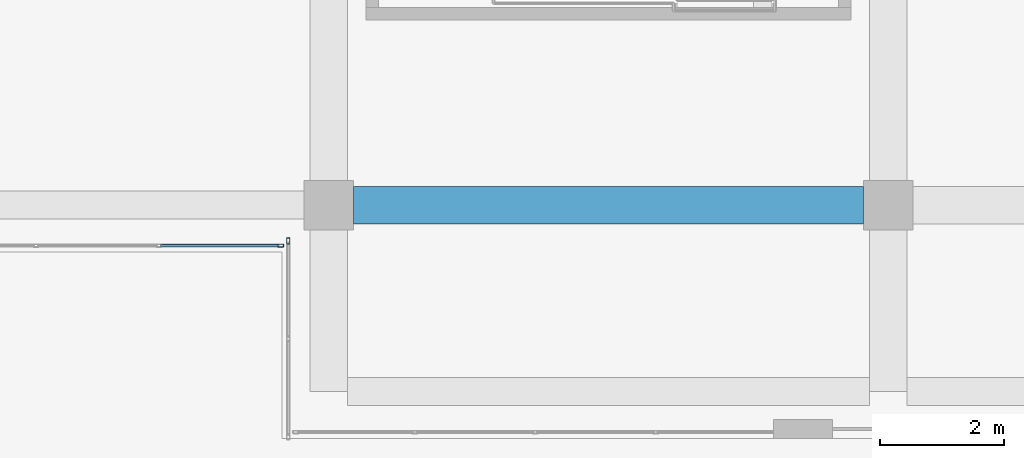
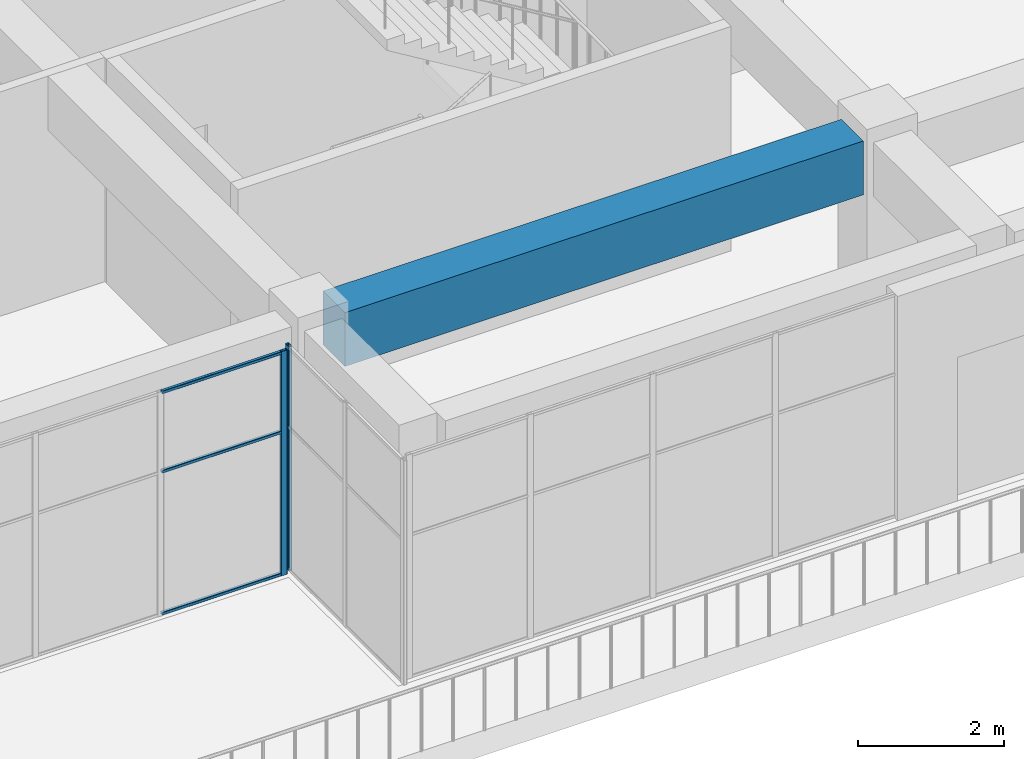
# One storey, part 39 of 81: 5 members, 1 beam, 2 elements without a shape of their own.
"""IFC4 building model written with IfcOpenShell, lengths in metres."""

from ifc_helpers import new_model, si_unit, direction, frame, origin, origin_2d, place, context, subcontext, project, spatial, rectangle, hollow_rectangle, extrude, material, layer, layer_set, material_profile, profile_set, type_object, element, aggregate, save


model = new_model("IFC4")

# Units and contexts
model_context = context("Model", 3, precision=1e-05, world=origin(), true_north=direction((0.0, 1.0)))
body_context = subcontext(model_context, "Body", "Model", "MODEL_VIEW")
ifc_project = project(units=[si_unit("LENGTHUNIT", "METRE"), si_unit("AREAUNIT", "SQUARE_METRE"), si_unit("VOLUMEUNIT", "CUBIC_METRE"), si_unit("PLANEANGLEUNIT", "RADIAN"), si_unit("MASSUNIT", "GRAM", prefix="KILO")], contexts=[model_context])

# Site, building, storey
site_placement = place(None, origin())
site = spatial("IfcSite", under=ifc_project, at=site_placement, CompositionType="ELEMENT")
building_placement = place(site_placement, origin())
building = spatial("IfcBuilding", under=site, at=building_placement, Name="Tuart Plaza Theatre", CompositionType="ELEMENT")
storey_placement = place(building_placement, frame((0.0, 0.0, 17.5)))
storey = spatial("IfcBuildingStorey", under=building, at=storey_placement, Name="L04", CompositionType="ELEMENT", Elevation=17.5)

# Beam
ifc_material_1 = material(Name="Concrete N40 (40 MPa)", Category="concrete")
ifc_material_profile_1 = material_profile(ifc_material_1, rectangle(XDim=0.60009765625, YDim=0.89990234375, at=origin_2d()), Name="BEAM 600x900 Concrete N40 (40 MPa)")
ifc_profile_set_1 = profile_set([ifc_material_profile_1], Name="Concrete N40 (40 MPa)")
beam_type = type_object("IfcBeamType", Name="BEAM 600x900 Concrete N40 (40 MPa)", PredefinedType="BEAM", material=ifc_profile_set_1)
beam_placement = place(storey_placement, frame((132.39990234375, 56.0, 3.300048828125), z_axis=(1.0, 0.0, 0.0), x_axis=(0.0, 1.0, 0.0)))
element("IfcBeam", 1, at=beam_placement, inside=storey, type_object=beam_type, Name="RB223", PredefinedType="BEAM", context=body_context, shape_type="SweptSolid", body=[
    extrude(rectangle(XDim=0.60009765625, YDim=0.89990234375, at=origin_2d()), origin(), (0.0, 0.0, 1.0), 8.2001953125),
])

# Curtain wall, member
ifc_material_2 = material(Name="Aluminium and glass", Category="aluminium")
ifc_layer = layer(ifc_material_2, 0.10009765625)
ifc_layer_set = layer_set([ifc_layer], Name="CURTAIN WALL 2000 module")
curtain_wall_type = type_object("IfcCurtainWallType", Name="CURTAIN WALL 2000 module", PredefinedType="NOTDEFINED", material=ifc_layer_set)
curtain_wall_1_placement = place(storey_placement, origin())
curtain_wall_1 = element("IfcCurtainWall", 2, at=curtain_wall_1_placement, inside=storey, type_object=curtain_wall_type, Name="CW75", PredefinedType="NOTDEFINED")
ifc_material_3 = material(Name="Aluminium 6063-T5", Category="aluminium")
ifc_material_profile_2 = material_profile(ifc_material_3, hollow_rectangle(XDim=0.050048828125, YDim=0.10009765625, WallThickness=0.00390625, InnerFilletRadius=0.00390625, OuterFilletRadius=0.008056640625, at=origin_2d()), Name="RHS 100x50x4")
ifc_profile_set_2 = profile_set([ifc_material_profile_2], Name="Aluminium 6063-T5")
member_type_1 = type_object("IfcMemberType", Name="MULLION RHS 100x50x4", PredefinedType="MULLION", material=ifc_profile_set_2)
member_1_placement = place(storey_placement, frame((131.35009765625, 55.425048828125, 0.0), z_axis=(0.0, 0.0, 1.0), x_axis=(1.0, 0.0, 0.0)))
member_1 = element("IfcMember", 3, at=member_1_placement, type_object=member_type_1, Name="CW75 mullion 1", PredefinedType="MULLION", context=body_context, shape_type="SweptSolid", body=[
    extrude(hollow_rectangle(XDim=0.050048828125, YDim=0.10009765625, WallThickness=0.00390625, InnerFilletRadius=0.00390625, OuterFilletRadius=0.008056640625, at=origin_2d()), origin(), (0.0, 0.0, 1.0), 3.75),
])
aggregate(curtain_wall_1, [member_1])

# Curtain wall, members
curtain_wall_2_placement = place(storey_placement, origin())
curtain_wall_2 = element("IfcCurtainWall", 4, at=curtain_wall_2_placement, inside=storey, type_object=curtain_wall_type, Name="CW87", PredefinedType="NOTDEFINED")
member_2_placement = place(storey_placement, frame((131.22509765625, 55.35009765625, 0.0), z_axis=(0.0, 0.0, 1.0), x_axis=(0.0, 1.0, 0.0)))
member_2 = element("IfcMember", 5, at=member_2_placement, type_object=member_type_1, Name="CW87 mullion 10", PredefinedType="MULLION", context=body_context, shape_type="SweptSolid", body=[
    extrude(hollow_rectangle(XDim=0.050048828125, YDim=0.10009765625, WallThickness=0.00390625, InnerFilletRadius=0.00390625, OuterFilletRadius=0.008056640625, at=origin_2d()), origin(), (0.0, 0.0, 1.0), 3.75),
])
ifc_material_4 = material(Name="Aluminium 6063-T5", Category="aluminium")
ifc_material_profile_3 = material_profile(ifc_material_4, hollow_rectangle(XDim=0.050048828125, YDim=0.050048828125, WallThickness=0.00390625, InnerFilletRadius=0.00390625, OuterFilletRadius=0.008056640625, at=origin_2d()), Name="RHS 50x50x4")
ifc_profile_set_3 = profile_set([ifc_material_profile_3], Name="Aluminium 6063-T5")
member_type_2 = type_object("IfcMemberType", Name="TRANSOM RHS 50x50x4", PredefinedType="USERDEFINED", material=ifc_profile_set_3)
member_3_placement = place(storey_placement, frame((129.297119140625, 55.35009765625, 0.02490234375), z_axis=(1.0, 0.0, 0.0), x_axis=(0.0, 1.0, 0.0)))
member_3 = element("IfcMember", 6, at=member_3_placement, type_object=member_type_2, Name="CW87 transom 9.1", ObjectType="TRANSOM", PredefinedType="USERDEFINED", context=body_context, shape_type="SweptSolid", body=[
    extrude(hollow_rectangle(XDim=0.050048828125, YDim=0.050048828125, WallThickness=0.00390625, InnerFilletRadius=0.00390625, OuterFilletRadius=0.008056640625, at=origin_2d()), origin(), (0.0, 0.0, 1.0), 1.90283203125),
])
member_4_placement = place(storey_placement, frame((129.297119140625, 55.35009765625, 2.39990234375), z_axis=(1.0, 0.0, 0.0), x_axis=(0.0, 1.0, 0.0)))
member_4 = element("IfcMember", 7, at=member_4_placement, type_object=member_type_2, Name="CW87 transom 9.2", ObjectType="TRANSOM", PredefinedType="USERDEFINED", context=body_context, shape_type="SweptSolid", body=[
    extrude(hollow_rectangle(XDim=0.050048828125, YDim=0.050048828125, WallThickness=0.00390625, InnerFilletRadius=0.00390625, OuterFilletRadius=0.008056640625, at=origin_2d()), origin(), (0.0, 0.0, 1.0), 1.90283203125),
])
member_5_placement = place(storey_placement, frame((129.297119140625, 55.35009765625, 3.72509765625), z_axis=(1.0, 0.0, 0.0), x_axis=(0.0, 1.0, 0.0)))
member_5 = element("IfcMember", 8, at=member_5_placement, type_object=member_type_2, Name="CW87 transom 9.3", ObjectType="TRANSOM", PredefinedType="USERDEFINED", context=body_context, shape_type="SweptSolid", body=[
    extrude(hollow_rectangle(XDim=0.050048828125, YDim=0.050048828125, WallThickness=0.00390625, InnerFilletRadius=0.00390625, OuterFilletRadius=0.008056640625, at=origin_2d()), origin(), (0.0, 0.0, 1.0), 1.90283203125),
])
aggregate(curtain_wall_2, [member_2, member_3, member_4, member_5])

save(model, "model.ifc")
